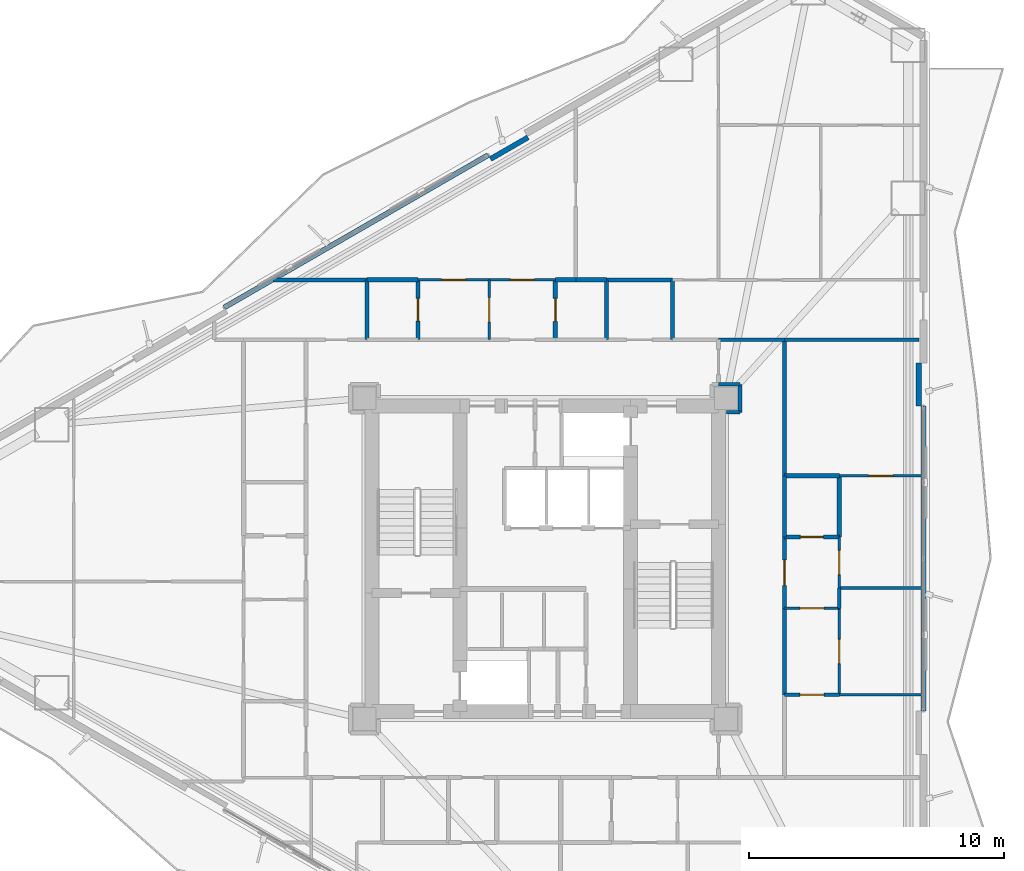
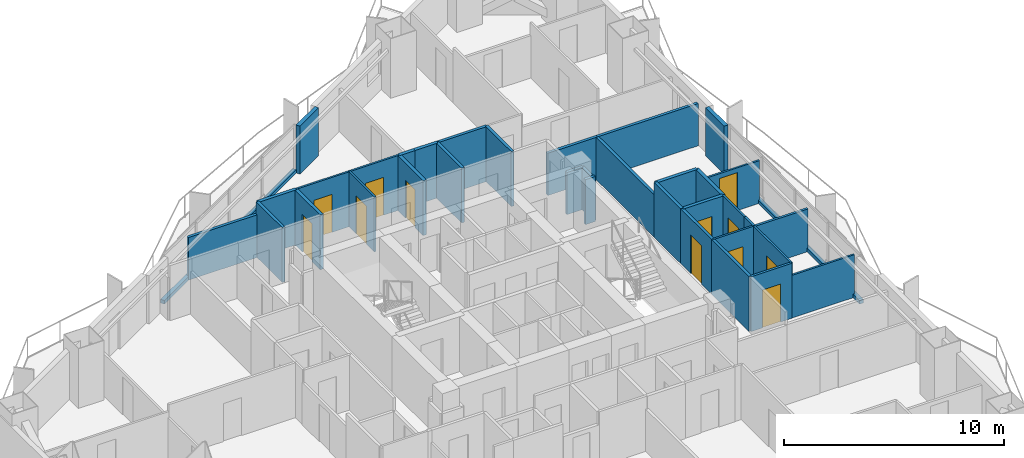
# One storey, part 16 of 19: 37 walls, 12 doors, 12 openings.
"""IFC4 building model written with IfcOpenShell, lengths in metres."""

import ifcopenshell
import ifcopenshell.guid

model = None  # the IFC model being written
_history = None  # IfcOwnerHistory: only IFC2X3 demands one
_inside = {}  # id of a spatial element -> (the spatial element, [elements in it])
_under = {}  # id of a project, library or spatial element -> (it, [spatial elements below it])
_declared = {}  # id of a project -> (the project, [libraries it declares])
_typed = {}  # id of a type object -> (the type object, [elements of that type])
_made_of = {}  # id of a material, layer set ... -> (it, [elements and type objects made of it])


def new_model(schema):
    """Start an empty IFC model of exactly this schema.

    Asked for "IFC4X3", IfcOpenShell would pick the latest addendum, in which some entities
    have other attributes; the version numbers below select the first issue.
    IFC2X3 requires an IfcOwnerHistory on every rooted entity: one is made here for all.
    """
    global model, _history
    if schema == "IFC4X3":
        model = ifcopenshell.file(schema_version=(4, 3, 0, 0))
    else:
        model = ifcopenshell.file(schema=schema)
    _inside.clear()
    _under.clear()
    _declared.clear()
    _typed.clear()
    _made_of.clear()
    _history = None
    if model.schema == "IFC2X3":
        org = make("IfcOrganization", Name="unknown")
        user = make(
            "IfcPersonAndOrganization",
            ThePerson=make("IfcPerson", FamilyName="unknown"),
            TheOrganization=org,
        )
        app = make(
            "IfcApplication",
            ApplicationDeveloper=org,
            Version="unknown",
            ApplicationFullName="unknown",
            ApplicationIdentifier="unknown",
        )
        _history = make(
            "IfcOwnerHistory",
            OwningUser=user,
            OwningApplication=app,
            ChangeAction="ADDED",
            CreationDate=0,
        )
    return model


def make(cls, **values):
    """One entity of the class cls with the attributes given. An attribute that is None is left unset."""
    return model.create_entity(
        cls, **{name: value for name, value in values.items() if value is not None}
    )


def rooted(cls, **values):
    """An entity with a GlobalId (a new one), such as an element, a storey or a relation."""
    return make(cls, GlobalId=ifcopenshell.guid.new(), OwnerHistory=_history, **values)


def si_unit(unit_type, name, prefix=None):
    """IfcSIUnit, for example si_unit("LENGTHUNIT", "METRE", prefix="MILLI")."""
    return make("IfcSIUnit", UnitType=unit_type, Prefix=prefix, Name=name)


def assignment(units):
    """IfcUnitAssignment: the units of a project."""
    return None if units is None else make("IfcUnitAssignment", Units=units)


def point(xyz):
    """IfcCartesianPoint."""
    return None if xyz is None else make("IfcCartesianPoint", Coordinates=xyz)


def direction(xyz):
    """IfcDirection."""
    return None if xyz is None else make("IfcDirection", DirectionRatios=xyz)


def frame(location, z_axis=None, x_axis=None):
    """IfcAxis2Placement3D, a coordinate frame: its origin and axes. An axis left out is left unset."""
    return make(
        "IfcAxis2Placement3D",
        Location=point(location),
        Axis=direction(z_axis),
        RefDirection=direction(x_axis),
    )


def frame_2d(location, x_axis=None):
    """IfcAxis2Placement2D, a coordinate frame in the plane: its origin and x axis."""
    return make(
        "IfcAxis2Placement2D", Location=point(location), RefDirection=direction(x_axis)
    )


def origin():
    """The frame at (0, 0, 0) with its axes left unset."""
    return frame((0.0, 0.0, 0.0))


def place(relative_to, where):
    """IfcLocalPlacement: puts the frame where relative to a parent placement (None: the world)."""
    return make(
        "IfcLocalPlacement", PlacementRelTo=relative_to, RelativePlacement=where
    )


def context(
    kind, dimensions, precision=None, world=None, true_north=None, identifier=None
):
    """IfcGeometricRepresentationContext, for example the 3D "Model" context."""
    return make(
        "IfcGeometricRepresentationContext",
        ContextIdentifier=identifier,
        ContextType=kind,
        CoordinateSpaceDimension=dimensions,
        Precision=precision,
        WorldCoordinateSystem=world,
        TrueNorth=true_north,
    )


def subcontext(parent, identifier, kind, view, scale=None):
    """IfcGeometricRepresentationSubContext, for example "Body" below "Model"."""
    return make(
        "IfcGeometricRepresentationSubContext",
        ContextIdentifier=identifier,
        ContextType=kind,
        ParentContext=parent,
        TargetScale=scale,
        TargetView=view,
    )


def project(units=None, contexts=None):
    """IfcProject with its units and contexts."""
    return rooted(
        "IfcProject",
        Name="project",
        RepresentationContexts=contexts,
        UnitsInContext=assignment(units),
    )


def spatial(cls, under=None, at=None, **own):
    """A site, building, storey or space (cls), placed at a placement, below another one or the project."""
    s = rooted(cls, ObjectPlacement=at, **own)
    if under is not None:
        _under.setdefault(under.id(), (under, []))[1].append(s)
    return s


def profile(cls, at=None, kind="AREA", **sizes):
    """A parametric profile (cls). Its sizes go by their IFC names, for example OverallWidth=200.0."""
    return make(cls, ProfileType=kind, Position=at, **sizes)


def rectangle(**sizes):
    """IfcRectangleProfileDef."""
    return profile("IfcRectangleProfileDef", **sizes)


def extrude(swept, where, along, depth):
    """IfcExtrudedAreaSolid: the profile swept, set in the frame where, extruded along a direction by depth."""
    return make(
        "IfcExtrudedAreaSolid",
        SweptArea=swept,
        Position=where,
        ExtrudedDirection=direction(along),
        Depth=depth,
    )


def shape(context_of_items, identifier, shape_type, items):
    """IfcShapeRepresentation: the items that make up one representation, for example the "Body"."""
    return make(
        "IfcShapeRepresentation",
        ContextOfItems=context_of_items,
        RepresentationIdentifier=identifier,
        RepresentationType=shape_type,
        Items=items,
    )


def material(Name=None, Category=None):
    """IfcMaterial."""
    return make("IfcMaterial", Name=Name, Category=Category)


def layer(
    of_material, thickness, ventilated=None, Name=None, Category=None, Priority=None
):
    """IfcMaterialLayer: one layer of a wall or slab, of a material (None: an air gap)."""
    return make(
        "IfcMaterialLayer",
        Material=of_material,
        LayerThickness=thickness,
        IsVentilated=ventilated,
        Name=Name,
        Category=Category,
        Priority=Priority,
    )


def layer_set(layers, Name=None):
    """IfcMaterialLayerSet."""
    return make("IfcMaterialLayerSet", MaterialLayers=layers, LayerSetName=Name)


def made_of(thing, what):
    """Note that an element or type object is made of a material, layer set ...; save() writes the relation."""
    if what is not None:
        _made_of.setdefault(what.id(), (what, []))[1].append(thing)
    return thing


def type_object(cls, material=None, **own):
    """A type object (cls), such as IfcWallType, which elements share."""
    return made_of(rooted(cls, **own), material)


def element(
    cls,
    number,
    at=None,
    inside=None,
    cuts=None,
    type_object=None,
    material=None,
    context=None,
    identifier="Body",
    shape_type=None,
    held_by="IfcProductDefinitionShape",
    body=None,
    shapes=None,
    **own,
):
    """One element of the class cls, such as IfcWall. Its Tag is "e" and its number.

    at: its placement. inside: the storey or other place that contains it. cuts: it is an
    opening in that element (IfcRelVoidsElement). A single representation is given by context,
    identifier, shape_type and body (its items); several are given by shapes. held_by: the class
    of the entity that holds the representations. save() writes the other relations.
    """
    e = rooted(cls, Tag="e%d" % number, ObjectPlacement=at, **own)
    if body is not None:
        shapes = [shape(context, identifier, shape_type, body)]
    if shapes is not None:
        e.Representation = make(held_by, Representations=shapes)
    if inside is not None:
        _inside.setdefault(inside.id(), (inside, []))[1].append(e)
    if cuts is not None:
        rooted(
            "IfcRelVoidsElement", RelatingBuildingElement=cuts, RelatedOpeningElement=e
        )
    if type_object is not None:
        _typed.setdefault(type_object.id(), (type_object, []))[1].append(e)
    return made_of(e, material)


def fill(opening, filler):
    """IfcRelFillsElement: the door or window that sits in an opening."""
    return rooted(
        "IfcRelFillsElement",
        RelatingOpeningElement=opening,
        RelatedBuildingElement=filler,
    )


def aggregate(whole, parts):
    """IfcRelAggregates: a whole, such as a stair, and the parts it consists of."""
    return rooted("IfcRelAggregates", RelatingObject=whole, RelatedObjects=parts)


def save(model, path):
    """Write the relations noted so far, then the file.

    IfcRelAggregates (storeys below a building ...), IfcRelContainedInSpatialStructure (elements
    in a storey), IfcRelDefinesByType, IfcRelAssociatesMaterial and IfcRelDeclares: one each for
    every whole, place, type object, material and project.
    """
    for whole, parts in _under.values():
        aggregate(whole, parts)
    for where, things in _inside.values():
        rooted(
            "IfcRelContainedInSpatialStructure",
            RelatedElements=things,
            RelatingStructure=where,
        )
    for kind, things in _typed.values():
        rooted("IfcRelDefinesByType", RelatedObjects=things, RelatingType=kind)
    for what, things in _made_of.values():
        rooted("IfcRelAssociatesMaterial", RelatedObjects=things, RelatingMaterial=what)
    for by, libraries in _declared.values():
        rooted("IfcRelDeclares", RelatingContext=by, RelatedDefinitions=libraries)
    model.write(path)


model = new_model("IFC4")

# Units and contexts
model_context = context("Model", 3, precision=1e-05, world=origin(), true_north=direction((0.0, 1.0)))
body_context = subcontext(model_context, "Body", "Model", "MODEL_VIEW")
ifc_project = project(units=[si_unit("LENGTHUNIT", "METRE"), si_unit("AREAUNIT", "SQUARE_METRE"), si_unit("VOLUMEUNIT", "CUBIC_METRE"), si_unit("PLANEANGLEUNIT", "RADIAN"), si_unit("MASSUNIT", "GRAM", prefix="KILO")], contexts=[model_context])

# Site, building, storey
site_placement = place(None, origin())
site = spatial("IfcSite", under=ifc_project, at=site_placement, CompositionType="ELEMENT")
building_placement = place(site_placement, origin())
building = spatial("IfcBuilding", under=site, at=building_placement, Name="Mersakhor Tower and Convention Hall", CompositionType="ELEMENT")
storey_placement = place(building_placement, frame((0.0, 0.0, 29.10009765625)))
storey = spatial("IfcBuildingStorey", under=building, at=storey_placement, Name="L07", CompositionType="ELEMENT", Elevation=29.10009765625)

# Walls
ifc_material_1 = material(Name="Precast concrete C40/50", Category="concrete")
ifc_layer_1 = layer(ifc_material_1, 0.199951171875)
ifc_layer_set_1 = layer_set([ifc_layer_1], Name="Precast concrete C40/50")
wall_type_1 = type_object("IfcWallType", Name="WL-PAR-200", PredefinedType="PARAPET", material=ifc_layer_set_1)
wall_1_placement = place(storey_placement, frame((16.390380859375, 36.6171875, 0.0), z_axis=(0.0, 0.0, 1.0), x_axis=(0.866027351828, 0.499996625875, 0.0)))
element("IfcWall", 1, at=wall_1_placement, inside=storey, type_object=wall_type_1, Name="L07 Curtain Wall Upstand Sill F1-B2", PredefinedType="PARAPET", context=body_context, shape_type="SweptSolid", body=[
    extrude(rectangle(XDim=11.97314453125, YDim=0.199951171875, at=frame_2d((5.986572265625, 0.0))), origin(), (0.0, 0.0, 1.0), 0.199951171875),
])
wall_2_placement = place(storey_placement, frame((26.849609375, 42.447998046875, 0.0), z_axis=(0.0, 0.0, 1.0), x_axis=(0.86605165483, 0.499954529098, 0.0)))
element("IfcWall", 2, at=wall_2_placement, inside=storey, type_object=wall_type_1, Name="L07 Column Pier Cladding Wall F1-C2", PredefinedType="PARAPET", context=body_context, shape_type="SweptSolid", body=[
    extrude(rectangle(XDim=1.699951171875, YDim=0.199951171875, at=frame_2d((0.85009765625, 0.0))), origin(), (0.0, 0.0, 1.0), 2.659912109375),
])
wall_3_placement = place(storey_placement, frame((43.85009765625, 32.736572265625, 0.0), z_axis=(0.0, 0.0, 1.0), x_axis=(0.0, -1.0, 0.0)))
element("IfcWall", 3, at=wall_3_placement, inside=storey, type_object=wall_type_1, Name="L07 Curtain Wall Upstand Sill F2-B2", PredefinedType="PARAPET", context=body_context, shape_type="SweptSolid", body=[
    extrude(rectangle(XDim=11.97314453125, YDim=0.199951171875, at=frame_2d((5.986572265625, 0.0))), origin(), (0.0, 0.0, 1.0), 0.199951171875),
])
wall_4_placement = place(storey_placement, frame((43.669921875, 34.4365234375, 0.0), z_axis=(0.0, 0.0, 1.0), x_axis=(0.0, -1.0, 0.0)))
element("IfcWall", 4, at=wall_4_placement, inside=storey, type_object=wall_type_1, Name="L07 Column Pier Cladding Wall F2-C1", PredefinedType="PARAPET", context=body_context, shape_type="SweptSolid", body=[
    extrude(rectangle(XDim=1.699951171875, YDim=0.199951171875, at=frame_2d((0.85009765625, 0.0))), origin(), (0.0, 0.0, 1.0), 2.659912109375),
])

# Wall, opening, door
ifc_material_2 = material(Name="Moisture-resistant acoustic drywall studwork", Category="other")
ifc_layer_2 = layer(ifc_material_2, 0.175048828125)
ifc_layer_set_2 = layer_set([ifc_layer_2], Name="Moisture-resistant acoustic drywall studwork")
wall_type_2 = type_object("IfcWallType", Name="WL-PLM-175", PredefinedType="PLUMBINGWALL", material=ifc_layer_set_2)
wall_5_placement = place(storey_placement, frame((29.39990234375, 37.699951171875, 0.0), z_axis=(0.0, 0.0, 1.0), x_axis=(0.0, -1.0, 0.0)))
wall_5 = element("IfcWall", 5, at=wall_5_placement, inside=storey, type_object=wall_type_2, Name="L07 Interior Partition Wall P-069", PredefinedType="PLUMBINGWALL", context=body_context, shape_type="SweptSolid", body=[
    extrude(rectangle(XDim=2.349853515625, YDim=0.175048828125, at=frame_2d((1.1748046875, 0.0))), origin(), (0.0, 0.0, 1.0), 3.039794921875),
])
opening_1_placement = place(wall_5_placement, frame((0.72509765625, 0.0, 0.0)))
opening_1 = element("IfcOpeningElement", 6, at=opening_1_placement, cuts=wall_5, Name="Opening WD-01", PredefinedType="OPENING", context=body_context, shape_type="SweptSolid", body=[
    extrude(rectangle(XDim=0.89990234375, YDim=2.10009765625, at=frame_2d((0.449951171875, 1.050048828125))), frame((0.0, 0.097412109375, 0.0), z_axis=(0.0, -1.0, 0.0), x_axis=(1.0, 0.0, 0.0)), (0.0, 0.0, 1.0), 0.195068359375),
])
ifc_material_3 = material(Name="Solid-core hardwood leaf in painted steel frame", Category="steel")
door_type_1 = type_object("IfcDoorType", Name="DR-INT-WET-090x210", OperationType="NOTDEFINED", PredefinedType="DOOR", material=ifc_material_3)
door_1_placement = place(opening_1_placement, origin())
door_1 = element("IfcDoor", 7, at=door_1_placement, inside=storey, type_object=door_type_1, Name="L07 L07 Flat N1 Apartment Hall to L07 Flat N1 En-Suite Shower Room Door", OperationType="SINGLE_SWING_LEFT", OverallHeight=2.10009765625, OverallWidth=0.89990234375, PredefinedType="DOOR", context=body_context, shape_type="SweptSolid", body=[
    extrude(rectangle(XDim=0.89990234375, YDim=2.10009765625, at=frame_2d((0.449951171875, 1.050048828125))), frame((0.0, 0.02490234375, 0.0), z_axis=(0.0, -1.0, 0.0), x_axis=(1.0, 0.0, 0.0)), (0.0, 0.0, 1.0), 0.050048828125),
])
fill(opening_1, door_1)

wall_6_placement = place(storey_placement, frame((38.39990234375, 27.60009765625, 0.0), z_axis=(0.0, 0.0, 1.0), x_axis=(1.0, 0.0, 0.0)))
wall_6 = element("IfcWall", 8, at=wall_6_placement, inside=storey, type_object=wall_type_2, Name="L07 Interior Partition Wall P-081", PredefinedType="PLUMBINGWALL", context=body_context, shape_type="SweptSolid", body=[
    extrude(rectangle(XDim=2.150146484375, YDim=0.175048828125, at=frame_2d((1.0751953125, 0.0))), origin(), (0.0, 0.0, 1.0), 3.039794921875),
])
opening_2_placement = place(wall_6_placement, frame((0.625, 0.0, 0.0)))
opening_2 = element("IfcOpeningElement", 9, at=opening_2_placement, cuts=wall_6, Name="Opening WD-01", PredefinedType="OPENING", context=body_context, shape_type="SweptSolid", body=[
    extrude(rectangle(XDim=0.89990234375, YDim=2.10009765625, at=frame_2d((0.449951171875, 1.050048828125))), frame((0.0, 0.097412109375, 0.0), z_axis=(0.0, -1.0, 0.0), x_axis=(1.0, 0.0, 0.0)), (0.0, 0.0, 1.0), 0.195068359375),
])
door_2_placement = place(opening_2_placement, origin())
door_2 = element("IfcDoor", 10, at=door_2_placement, inside=storey, type_object=door_type_1, Name="L07 L07 Flat E5 Apartment Hall to L07 Flat E5 Bathroom Door", OperationType="SINGLE_SWING_LEFT", OverallHeight=2.10009765625, OverallWidth=0.89990234375, PredefinedType="DOOR", context=body_context, shape_type="SweptSolid", body=[
    extrude(rectangle(XDim=0.89990234375, YDim=2.10009765625, at=frame_2d((0.449951171875, 1.050048828125))), frame((0.0, 0.02490234375, 0.0), z_axis=(0.0, -1.0, 0.0), x_axis=(1.0, 0.0, 0.0)), (0.0, 0.0, 1.0), 0.050048828125),
])
fill(opening_2, door_2)

wall_7_placement = place(storey_placement, frame((24.0, 35.35009765625, 0.0), z_axis=(0.0, 0.0, 1.0), x_axis=(0.0, 1.0, 0.0)))
wall_7 = element("IfcWall", 11, at=wall_7_placement, inside=storey, type_object=wall_type_2, Name="L07 Interior Partition Wall P-083", PredefinedType="PLUMBINGWALL", context=body_context, shape_type="SweptSolid", body=[
    extrude(rectangle(XDim=2.349853515625, YDim=0.175048828125, at=frame_2d((1.1748046875, 0.0))), origin(), (0.0, 0.0, 1.0), 3.039794921875),
])
opening_3_placement = place(wall_7_placement, frame((0.72509765625, 0.0, 0.0)))
opening_3 = element("IfcOpeningElement", 12, at=opening_3_placement, cuts=wall_7, Name="Opening WD-01", PredefinedType="OPENING", context=body_context, shape_type="SweptSolid", body=[
    extrude(rectangle(XDim=0.89990234375, YDim=2.10009765625, at=frame_2d((0.449951171875, 1.050048828125))), frame((0.0, 0.097412109375, 0.0), z_axis=(0.0, -1.0, 0.0), x_axis=(1.0, 0.0, 0.0)), (0.0, 0.0, 1.0), 0.195068359375),
])
door_3_placement = place(opening_3_placement, origin())
door_3 = element("IfcDoor", 13, at=door_3_placement, inside=storey, type_object=door_type_1, Name="L07 L07 Flat N1 Kitchen to L07 Flat N1 Bathroom Door", OperationType="SINGLE_SWING_LEFT", OverallHeight=2.10009765625, OverallWidth=0.89990234375, PredefinedType="DOOR", context=body_context, shape_type="SweptSolid", body=[
    extrude(rectangle(XDim=0.89990234375, YDim=2.10009765625, at=frame_2d((0.449951171875, 1.050048828125))), frame((0.0, 0.02490234375, 0.0), z_axis=(0.0, -1.0, 0.0), x_axis=(1.0, 0.0, 0.0)), (0.0, 0.0, 1.0), 0.050048828125),
])
fill(opening_3, door_3)

# Walls
wall_8_placement = place(storey_placement, frame((22.0, 37.699951171875, 0.0), z_axis=(0.0, 0.0, 1.0), x_axis=(1.0, 0.0, 0.0)))
element("IfcWall", 14, at=wall_8_placement, inside=storey, type_object=wall_type_2, Name="L07 Interior Partition Wall P-084", PredefinedType="PLUMBINGWALL", context=body_context, shape_type="SweptSolid", body=[
    extrude(rectangle(XDim=2.0, YDim=0.175048828125, at=frame_2d((1.0, 0.0))), origin(), (0.0, 0.0, 1.0), 3.039794921875),
])
wall_9_placement = place(storey_placement, frame((29.39990234375, 37.699951171875, 0.0), z_axis=(0.0, 0.0, 1.0), x_axis=(1.0, 0.0, 0.0)))
element("IfcWall", 15, at=wall_9_placement, inside=storey, type_object=wall_type_2, Name="L07 Interior Partition Wall P-086", PredefinedType="PLUMBINGWALL", context=body_context, shape_type="SweptSolid", body=[
    extrude(rectangle(XDim=0.800048828125, YDim=0.175048828125, at=frame_2d((0.39990234375, 0.0))), origin(), (0.0, 0.0, 1.0), 3.039794921875),
])
wall_10_placement = place(storey_placement, frame((30.199951171875, 37.699951171875, 0.0), z_axis=(0.0, 0.0, 1.0), x_axis=(1.0, 0.0, 0.0)))
element("IfcWall", 16, at=wall_10_placement, inside=storey, type_object=wall_type_2, Name="L07 Interior Partition Wall P-087", PredefinedType="PLUMBINGWALL", context=body_context, shape_type="SweptSolid", body=[
    extrude(rectangle(XDim=1.199951171875, YDim=0.175048828125, at=frame_2d((0.60009765625, 0.0))), origin(), (0.0, 0.0, 1.0), 3.039794921875),
])
wall_11_placement = place(storey_placement, frame((40.550048828125, 30.0, 0.0), z_axis=(0.0, 0.0, 1.0), x_axis=(0.0, -1.0, 0.0)))
element("IfcWall", 17, at=wall_11_placement, inside=storey, type_object=wall_type_2, Name="L07 Interior Partition Wall P-101", PredefinedType="PLUMBINGWALL", context=body_context, shape_type="SweptSolid", body=[
    extrude(rectangle(XDim=2.39990234375, YDim=0.175048828125, at=frame_2d((1.199951171875, 0.0))), origin(), (0.0, 0.0, 1.0), 3.039794921875),
])
wall_12_placement = place(storey_placement, frame((38.39990234375, 30.0, 0.0), z_axis=(0.0, 0.0, 1.0), x_axis=(1.0, 0.0, 0.0)))
element("IfcWall", 18, at=wall_12_placement, inside=storey, type_object=wall_type_2, Name="L07 Interior Partition Wall P-102", PredefinedType="PLUMBINGWALL", context=body_context, shape_type="SweptSolid", body=[
    extrude(rectangle(XDim=2.150146484375, YDim=0.175048828125, at=frame_2d((1.0751953125, 0.0))), origin(), (0.0, 0.0, 1.0), 3.039794921875),
])

# Wall, opening, door
ifc_material_4 = material(Name="Lightweight gypsum partition", Category="other")
ifc_layer_3 = layer(ifc_material_4, 0.10009765625)
ifc_layer_set_3 = layer_set([ifc_layer_3], Name="Lightweight gypsum partition")
wall_type_3 = type_object("IfcWallType", Name="WL-PRT-100", PredefinedType="PARTITIONING", material=ifc_layer_set_3)
wall_13_placement = place(storey_placement, frame((26.800048828125, 37.699951171875, 0.0), z_axis=(0.0, 0.0, 1.0), x_axis=(1.0, 0.0, 0.0)))
wall_13 = element("IfcWall", 19, at=wall_13_placement, inside=storey, type_object=wall_type_3, Name="L07 Interior Partition Wall P-068", PredefinedType="PARTITIONING", context=body_context, shape_type="SweptSolid", body=[
    extrude(rectangle(XDim=2.599853515625, YDim=0.10009765625, at=frame_2d((1.2998046875, 0.0))), origin(), (0.0, 0.0, 1.0), 3.039794921875),
])
opening_4_placement = place(wall_13_placement, frame((0.824951171875, 0.0, 0.0)))
opening_4 = element("IfcOpeningElement", 20, at=opening_4_placement, cuts=wall_13, Name="Opening RD-01", PredefinedType="OPENING", context=body_context, shape_type="SweptSolid", body=[
    extrude(rectangle(XDim=0.949951171875, YDim=2.10009765625, at=frame_2d((0.47509765625, 1.050048828125))), frame((0.0, 0.06005859375, 0.0), z_axis=(0.0, -1.0, 0.0), x_axis=(1.0, 0.0, 0.0)), (0.0, 0.0, 1.0), 0.1201171875),
])
ifc_material_5 = material(Name="Solid-core hardwood leaf in painted steel frame", Category="steel")
door_type_2 = type_object("IfcDoorType", Name="DR-INT-RM-095x210", OperationType="NOTDEFINED", PredefinedType="DOOR", material=ifc_material_5)
door_4_placement = place(opening_4_placement, origin())
door_4 = element("IfcDoor", 21, at=door_4_placement, inside=storey, type_object=door_type_2, Name="L07 L07 Flat N1 Apartment Hall to L07 Flat N1 Living and Dining Room Door", OperationType="SINGLE_SWING_RIGHT", OverallHeight=2.10009765625, OverallWidth=0.949951171875, PredefinedType="DOOR", context=body_context, shape_type="SweptSolid", body=[
    extrude(rectangle(XDim=0.949951171875, YDim=2.10009765625, at=frame_2d((0.47509765625, 1.050048828125))), frame((0.0, 0.02490234375, 0.0), z_axis=(0.0, -1.0, 0.0), x_axis=(1.0, 0.0, 0.0)), (0.0, 0.0, 1.0), 0.050048828125),
])
fill(opening_4, door_4)

wall_14_placement = place(storey_placement, frame((26.800048828125, 35.35009765625, 0.0), z_axis=(0.0, 0.0, 1.0), x_axis=(0.0, 1.0, 0.0)))
wall_14 = element("IfcWall", 22, at=wall_14_placement, inside=storey, type_object=wall_type_3, Name="L07 Interior Partition Wall P-070", PredefinedType="PARTITIONING", context=body_context, shape_type="SweptSolid", body=[
    extrude(rectangle(XDim=2.349853515625, YDim=0.10009765625, at=frame_2d((1.1748046875, 0.0))), origin(), (0.0, 0.0, 1.0), 3.039794921875),
])
opening_5_placement = place(wall_14_placement, frame((0.699951171875, 0.0, 0.0)))
opening_5 = element("IfcOpeningElement", 23, at=opening_5_placement, cuts=wall_14, Name="Opening RD-01", PredefinedType="OPENING", context=body_context, shape_type="SweptSolid", body=[
    extrude(rectangle(XDim=0.949951171875, YDim=2.10009765625, at=frame_2d((0.47509765625, 1.050048828125))), frame((0.0, 0.06005859375, 0.0), z_axis=(0.0, -1.0, 0.0), x_axis=(1.0, 0.0, 0.0)), (0.0, 0.0, 1.0), 0.1201171875),
])
door_5_placement = place(opening_5_placement, origin())
door_5 = element("IfcDoor", 24, at=door_5_placement, inside=storey, type_object=door_type_2, Name="L07 L07 Flat N1 Apartment Hall to L07 Flat N1 Kitchen Door", OperationType="SINGLE_SWING_RIGHT", OverallHeight=2.10009765625, OverallWidth=0.949951171875, PredefinedType="DOOR", context=body_context, shape_type="SweptSolid", body=[
    extrude(rectangle(XDim=0.949951171875, YDim=2.10009765625, at=frame_2d((0.47509765625, 1.050048828125))), frame((0.0, 0.02490234375, 0.0), z_axis=(0.0, -1.0, 0.0), x_axis=(1.0, 0.0, 0.0)), (0.0, 0.0, 1.0), 0.050048828125),
])
fill(opening_5, door_5)

wall_15_placement = place(storey_placement, frame((40.550048828125, 27.60009765625, 0.0), z_axis=(0.0, 0.0, 1.0), x_axis=(0.0, -1.0, 0.0)))
wall_15 = element("IfcWall", 25, at=wall_15_placement, inside=storey, type_object=wall_type_3, Name="L07 Interior Partition Wall P-078", PredefinedType="PARTITIONING", context=body_context, shape_type="SweptSolid", body=[
    extrude(rectangle(XDim=2.0, YDim=0.10009765625, at=frame_2d((1.0, 0.0))), origin(), (0.0, 0.0, 1.0), 3.039794921875),
])
opening_6_placement = place(wall_15_placement, frame((0.52490234375, 0.0, 0.0)))
opening_6 = element("IfcOpeningElement", 26, at=opening_6_placement, cuts=wall_15, Name="Opening RD-01", PredefinedType="OPENING", context=body_context, shape_type="SweptSolid", body=[
    extrude(rectangle(XDim=0.949951171875, YDim=2.10009765625, at=frame_2d((0.47509765625, 1.050048828125))), frame((0.0, 0.06005859375, 0.0), z_axis=(0.0, -1.0, 0.0), x_axis=(1.0, 0.0, 0.0)), (0.0, 0.0, 1.0), 0.1201171875),
])
door_6_placement = place(opening_6_placement, origin())
door_6 = element("IfcDoor", 27, at=door_6_placement, inside=storey, type_object=door_type_2, Name="L07 L07 Flat E5 Apartment Hall to L07 Flat E5 Master Bedroom Door", OperationType="SINGLE_SWING_RIGHT", OverallHeight=2.10009765625, OverallWidth=0.949951171875, PredefinedType="DOOR", context=body_context, shape_type="SweptSolid", body=[
    extrude(rectangle(XDim=0.949951171875, YDim=2.10009765625, at=frame_2d((0.47509765625, 1.050048828125))), frame((0.0, 0.02490234375, 0.0), z_axis=(0.0, -1.0, 0.0), x_axis=(1.0, 0.0, 0.0)), (0.0, 0.0, 1.0), 0.050048828125),
])
fill(opening_6, door_6)

wall_16_placement = place(storey_placement, frame((40.550048828125, 24.800048828125, 0.0), z_axis=(0.0, 0.0, 1.0), x_axis=(-1.0, 0.0, 0.0)))
wall_16 = element("IfcWall", 28, at=wall_16_placement, inside=storey, type_object=wall_type_3, Name="L07 Interior Partition Wall P-080", PredefinedType="PARTITIONING", context=body_context, shape_type="SweptSolid", body=[
    extrude(rectangle(XDim=2.150146484375, YDim=0.10009765625, at=frame_2d((1.0751953125, 0.0))), origin(), (0.0, 0.0, 1.0), 3.039794921875),
])
opening_7_placement = place(wall_16_placement, frame((0.60009765625, 0.0, 0.0)))
opening_7 = element("IfcOpeningElement", 29, at=opening_7_placement, cuts=wall_16, Name="Opening RD-01", PredefinedType="OPENING", context=body_context, shape_type="SweptSolid", body=[
    extrude(rectangle(XDim=0.949951171875, YDim=2.10009765625, at=frame_2d((0.47509765625, 1.050048828125))), frame((0.0, 0.06005859375, 0.0), z_axis=(0.0, -1.0, 0.0), x_axis=(1.0, 0.0, 0.0)), (0.0, 0.0, 1.0), 0.1201171875),
])
door_7_placement = place(opening_7_placement, origin())
door_7 = element("IfcDoor", 30, at=door_7_placement, inside=storey, type_object=door_type_2, Name="L07 L07 Flat E5 Apartment Hall to L07 Flat E5 Dining Alcove Door", OperationType="SINGLE_SWING_LEFT", OverallHeight=2.10009765625, OverallWidth=0.949951171875, PredefinedType="DOOR", context=body_context, shape_type="SweptSolid", body=[
    extrude(rectangle(XDim=0.949951171875, YDim=2.10009765625, at=frame_2d((0.47509765625, 1.050048828125))), frame((0.0, 0.02490234375, 0.0), z_axis=(0.0, -1.0, 0.0), x_axis=(1.0, 0.0, 0.0)), (0.0, 0.0, 1.0), 0.050048828125),
])
fill(opening_7, door_7)

wall_17_placement = place(storey_placement, frame((24.0, 37.699951171875, 0.0), z_axis=(0.0, 0.0, 1.0), x_axis=(1.0, 0.0, 0.0)))
wall_17 = element("IfcWall", 31, at=wall_17_placement, inside=storey, type_object=wall_type_3, Name="L07 Interior Partition Wall P-082", PredefinedType="PARTITIONING", context=body_context, shape_type="SweptSolid", body=[
    extrude(rectangle(XDim=2.800048828125, YDim=0.10009765625, at=frame_2d((1.39990234375, 0.0))), origin(), (0.0, 0.0, 1.0), 3.039794921875),
])
opening_8_placement = place(wall_17_placement, frame((0.925048828125, 0.0, 0.0)))
opening_8 = element("IfcOpeningElement", 32, at=opening_8_placement, cuts=wall_17, Name="Opening RD-01", PredefinedType="OPENING", context=body_context, shape_type="SweptSolid", body=[
    extrude(rectangle(XDim=0.949951171875, YDim=2.10009765625, at=frame_2d((0.47509765625, 1.050048828125))), frame((0.0, 0.06005859375, 0.0), z_axis=(0.0, -1.0, 0.0), x_axis=(1.0, 0.0, 0.0)), (0.0, 0.0, 1.0), 0.1201171875),
])
door_8_placement = place(opening_8_placement, origin())
door_8 = element("IfcDoor", 33, at=door_8_placement, inside=storey, type_object=door_type_2, Name="L07 L07 Flat N1 Kitchen to L07 Flat N1 Living and Dining Room Door", OperationType="SINGLE_SWING_RIGHT", OverallHeight=2.10009765625, OverallWidth=0.949951171875, PredefinedType="DOOR", context=body_context, shape_type="SweptSolid", body=[
    extrude(rectangle(XDim=0.949951171875, YDim=2.10009765625, at=frame_2d((0.47509765625, 1.050048828125))), frame((0.0, 0.02490234375, 0.0), z_axis=(0.0, -1.0, 0.0), x_axis=(1.0, 0.0, 0.0)), (0.0, 0.0, 1.0), 0.050048828125),
])
fill(opening_8, door_8)

# Wall
wall_18_placement = place(storey_placement, frame((40.550048828125, 21.39990234375, 0.0), z_axis=(0.0, 0.0, 1.0), x_axis=(1.0, 0.0, 0.0)))
element("IfcWall", 34, at=wall_18_placement, inside=storey, type_object=wall_type_3, Name="L07 Interior Partition Wall P-104", PredefinedType="PARTITIONING", context=body_context, shape_type="SweptSolid", body=[
    extrude(rectangle(XDim=3.263916015625, YDim=0.10009765625, at=frame_2d((1.6318359375, 0.0))), origin(), (0.0, 0.0, 1.0), 2.364990234375),
])

# Wall, opening, door
wall_19_placement = place(storey_placement, frame((43.81396484375, 30.0, 0.0), z_axis=(0.0, 0.0, 1.0), x_axis=(-1.0, 0.0, 0.0)))
wall_19 = element("IfcWall", 35, at=wall_19_placement, inside=storey, type_object=wall_type_3, Name="L07 Interior Partition Wall P-146", PredefinedType="PARTITIONING", context=body_context, shape_type="SweptSolid", body=[
    extrude(rectangle(XDim=3.263916015625, YDim=0.10009765625, at=frame_2d((1.6318359375, 0.0))), origin(), (0.0, 0.0, 1.0), 2.364990234375),
])
opening_9_placement = place(wall_19_placement, frame((1.156982421875, 0.0, 0.0)))
opening_9 = element("IfcOpeningElement", 36, at=opening_9_placement, cuts=wall_19, Name="Opening RD-01", PredefinedType="OPENING", context=body_context, shape_type="SweptSolid", body=[
    extrude(rectangle(XDim=0.949951171875, YDim=2.10009765625, at=frame_2d((0.47509765625, 1.050048828125))), frame((0.0, 0.06005859375, 0.0), z_axis=(0.0, -1.0, 0.0), x_axis=(1.0, 0.0, 0.0)), (0.0, 0.0, 1.0), 0.1201171875),
])
door_9_placement = place(opening_9_placement, origin())
door_9 = element("IfcDoor", 37, at=door_9_placement, inside=storey, type_object=door_type_2, Name="L07 L07 Flat E5 Living and Dining Room to L07 Flat E5 Master Bedroom Door", OperationType="SINGLE_SWING_RIGHT", OverallHeight=2.10009765625, OverallWidth=0.949951171875, PredefinedType="DOOR", context=body_context, shape_type="SweptSolid", body=[
    extrude(rectangle(XDim=0.949951171875, YDim=2.10009765625, at=frame_2d((0.47509765625, 1.050048828125))), frame((0.0, 0.02490234375, 0.0), z_axis=(0.0, -1.0, 0.0), x_axis=(1.0, 0.0, 0.0)), (0.0, 0.0, 1.0), 0.050048828125),
])
fill(opening_9, door_9)

wall_20_placement = place(storey_placement, frame((40.550048828125, 21.39990234375, 0.0), z_axis=(0.0, 0.0, 1.0), x_axis=(0.0, 1.0, 0.0)))
wall_20 = element("IfcWall", 38, at=wall_20_placement, inside=storey, type_object=wall_type_3, Name="L07 Interior Partition Wall P-148", PredefinedType="PARTITIONING", context=body_context, shape_type="SweptSolid", body=[
    extrude(rectangle(XDim=3.400146484375, YDim=0.10009765625, at=frame_2d((1.7001953125, 0.0))), origin(), (0.0, 0.0, 1.0), 3.039794921875),
])
opening_10_placement = place(wall_20_placement, frame((1.22509765625, 0.0, 0.0)))
opening_10 = element("IfcOpeningElement", 39, at=opening_10_placement, cuts=wall_20, Name="Opening RD-01", PredefinedType="OPENING", context=body_context, shape_type="SweptSolid", body=[
    extrude(rectangle(XDim=0.949951171875, YDim=2.10009765625, at=frame_2d((0.47509765625, 1.050048828125))), frame((0.0, 0.06005859375, 0.0), z_axis=(0.0, -1.0, 0.0), x_axis=(1.0, 0.0, 0.0)), (0.0, 0.0, 1.0), 0.1201171875),
])
door_10_placement = place(opening_10_placement, origin())
door_10 = element("IfcDoor", 40, at=door_10_placement, inside=storey, type_object=door_type_2, Name="L07 L07 Flat E5 Bedroom 2 to L07 Flat E5 Dining Alcove Door", OperationType="SINGLE_SWING_LEFT", OverallHeight=2.10009765625, OverallWidth=0.949951171875, PredefinedType="DOOR", context=body_context, shape_type="SweptSolid", body=[
    extrude(rectangle(XDim=0.949951171875, YDim=2.10009765625, at=frame_2d((0.47509765625, 1.050048828125))), frame((0.0, 0.02490234375, 0.0), z_axis=(0.0, -1.0, 0.0), x_axis=(1.0, 0.0, 0.0)), (0.0, 0.0, 1.0), 0.050048828125),
])
fill(opening_10, door_10)

# Wall
ifc_material_6 = material(Name="Gypsum board acoustic partition", Category="other")
ifc_layer_4 = layer(ifc_material_6, 0.125)
ifc_layer_set_4 = layer_set([ifc_layer_4], Name="Gypsum board acoustic partition")
wall_type_4 = type_object("IfcWallType", Name="WL-PRT-125", PredefinedType="PARTITIONING", material=ifc_layer_set_4)
wall_21_placement = place(storey_placement, frame((40.550048828125, 25.60009765625, 0.0), z_axis=(0.0, 0.0, 1.0), x_axis=(0.0, -1.0, 0.0)))
element("IfcWall", 41, at=wall_21_placement, inside=storey, type_object=wall_type_4, Name="L07 Interior Partition Wall P-079", PredefinedType="PARTITIONING", context=body_context, shape_type="SweptSolid", body=[
    extrude(rectangle(XDim=0.800048828125, YDim=0.125, at=frame_2d((0.39990234375, 0.0))), origin(), (0.0, 0.0, 1.0), 3.039794921875),
])

# Wall, opening, door
wall_22_placement = place(storey_placement, frame((38.39990234375, 21.39990234375, 0.0), z_axis=(0.0, 0.0, 1.0), x_axis=(1.0, 0.0, 0.0)))
wall_22 = element("IfcWall", 42, at=wall_22_placement, inside=storey, type_object=wall_type_4, Name="L07 Interior Partition Wall P-103", PredefinedType="PARTITIONING", context=body_context, shape_type="SweptSolid", body=[
    extrude(rectangle(XDim=2.150146484375, YDim=0.125, at=frame_2d((1.0751953125, 0.0))), origin(), (0.0, 0.0, 1.0), 3.039794921875),
])
opening_11_placement = place(wall_22_placement, frame((0.60009765625, 0.0, 0.0)))
opening_11 = element("IfcOpeningElement", 43, at=opening_11_placement, cuts=wall_22, Name="Opening RD-01", PredefinedType="OPENING", context=body_context, shape_type="SweptSolid", body=[
    extrude(rectangle(XDim=0.949951171875, YDim=2.10009765625, at=frame_2d((0.47509765625, 1.050048828125))), frame((0.0, 0.072509765625, 0.0), z_axis=(0.0, -1.0, 0.0), x_axis=(1.0, 0.0, 0.0)), (0.0, 0.0, 1.0), 0.14501953125),
])
door_11_placement = place(opening_11_placement, origin())
door_11 = element("IfcDoor", 44, at=door_11_placement, inside=storey, type_object=door_type_2, Name="L07 L07 Flat E5 Kitchen to L07 Flat E5 Dining Alcove Door", OperationType="SINGLE_SWING_LEFT", OverallHeight=2.10009765625, OverallWidth=0.949951171875, PredefinedType="DOOR", context=body_context, shape_type="SweptSolid", body=[
    extrude(rectangle(XDim=0.949951171875, YDim=2.10009765625, at=frame_2d((0.47509765625, 1.050048828125))), frame((0.0, 0.02490234375, 0.0), z_axis=(0.0, -1.0, 0.0), x_axis=(1.0, 0.0, 0.0)), (0.0, 0.0, 1.0), 0.050048828125),
])
fill(opening_11, door_11)

# Walls
wall_23_placement = place(storey_placement, frame((43.81396484375, 25.60009765625, 0.0), z_axis=(0.0, 0.0, 1.0), x_axis=(-1.0, 0.0, 0.0)))
element("IfcWall", 45, at=wall_23_placement, inside=storey, type_object=wall_type_4, Name="L07 Interior Partition Wall P-147", PredefinedType="PARTITIONING", context=body_context, shape_type="SweptSolid", body=[
    extrude(rectangle(XDim=3.263916015625, YDim=0.125, at=frame_2d((1.6318359375, 0.0))), origin(), (0.0, 0.0, 1.0), 2.364990234375),
])
ifc_material_7 = material(Name="Fire-rated gypsum board stud partition", Category="other")
ifc_layer_5 = layer(ifc_material_7, 0.14990234375)
ifc_layer_set_5 = layer_set([ifc_layer_5], Name="Fire-rated gypsum board stud partition")
wall_type_5 = type_object("IfcWallType", Name="WL-PRT-150", PredefinedType="PARTITIONING", material=ifc_layer_set_5)
wall_24_placement = place(storey_placement, frame((36.125, 32.5, 0.0), z_axis=(0.0, 0.0, 1.0), x_axis=(1.0, 0.0, 0.0)))
element("IfcWall", 46, at=wall_24_placement, inside=storey, type_object=wall_type_5, Name="L07 Interior Partition Wall P-056", PredefinedType="PARTITIONING", context=body_context, shape_type="SweptSolid", body=[
    extrude(rectangle(XDim=0.52490234375, YDim=0.14990234375, at=frame_2d((0.262451171875, 0.0))), origin(), (0.0, 0.0, 1.0), 2.48828125),
])
wall_25_placement = place(storey_placement, frame((36.64990234375, 32.5, 0.0), z_axis=(0.0, 0.0, 1.0), x_axis=(0.0, 1.0, 0.0)))
element("IfcWall", 47, at=wall_25_placement, inside=storey, type_object=wall_type_5, Name="L07 Interior Partition Wall P-057", PredefinedType="PARTITIONING", context=body_context, shape_type="SweptSolid", body=[
    extrude(rectangle(XDim=1.10009765625, YDim=0.14990234375, at=frame_2d((0.550048828125, 0.0))), origin(), (0.0, 0.0, 1.0), 2.33740234375),
])
wall_26_placement = place(storey_placement, frame((36.64990234375, 33.60009765625, 0.0), z_axis=(0.0, 0.0, 1.0), x_axis=(-1.0, 0.0, 0.0)))
element("IfcWall", 48, at=wall_26_placement, inside=storey, type_object=wall_type_5, Name="L07 Interior Partition Wall P-058", PredefinedType="PARTITIONING", context=body_context, shape_type="SweptSolid", body=[
    extrude(rectangle(XDim=0.849853515625, YDim=0.14990234375, at=frame_2d((0.4248046875, 0.0))), origin(), (0.0, 0.0, 1.0), 2.33740234375),
])
wall_27_placement = place(storey_placement, frame((35.800048828125, 35.35009765625, 0.0), z_axis=(0.0, 0.0, 1.0), x_axis=(1.0, 0.0, 0.0)))
element("IfcWall", 49, at=wall_27_placement, inside=storey, type_object=wall_type_5, Name="L07 Interior Partition Wall P-059", PredefinedType="PARTITIONING", context=body_context, shape_type="SweptSolid", body=[
    extrude(rectangle(XDim=2.599853515625, YDim=0.14990234375, at=frame_2d((1.2998046875, 0.0))), origin(), (0.0, 0.0, 1.0), 2.33740234375),
])
wall_28_placement = place(storey_placement, frame((38.39990234375, 35.35009765625, 0.0), z_axis=(0.0, 0.0, 1.0), x_axis=(0.0, -1.0, 0.0)))
element("IfcWall", 50, at=wall_28_placement, inside=storey, type_object=wall_type_5, Name="L07 Interior Partition Wall P-060", PredefinedType="PARTITIONING", context=body_context, shape_type="SweptSolid", body=[
    extrude(rectangle(XDim=5.35009765625, YDim=0.14990234375, at=frame_2d((2.675048828125, 0.0))), origin(), (0.0, 0.0, 1.0), 2.33740234375),
])
wall_29_placement = place(storey_placement, frame((38.39990234375, 30.0, 0.0), z_axis=(0.0, 0.0, 1.0), x_axis=(0.0, -1.0, 0.0)))
element("IfcWall", 51, at=wall_29_placement, inside=storey, type_object=wall_type_5, Name="L07 Interior Partition Wall P-061", PredefinedType="PARTITIONING", context=body_context, shape_type="SweptSolid", body=[
    extrude(rectangle(XDim=2.39990234375, YDim=0.14990234375, at=frame_2d((1.199951171875, 0.0))), origin(), (0.0, 0.0, 1.0), 3.039794921875),
])

# Wall, opening, door
wall_30_placement = place(storey_placement, frame((38.39990234375, 27.60009765625, 0.0), z_axis=(0.0, 0.0, 1.0), x_axis=(0.0, -1.0, 0.0)))
wall_30 = element("IfcWall", 52, at=wall_30_placement, inside=storey, type_object=wall_type_5, Name="L07 Interior Partition Wall P-062", PredefinedType="PARTITIONING", context=body_context, shape_type="SweptSolid", body=[
    extrude(rectangle(XDim=2.800048828125, YDim=0.14990234375, at=frame_2d((1.39990234375, 0.0))), origin(), (0.0, 0.0, 1.0), 3.039794921875),
])
opening_12_placement = place(wall_30_placement, frame((0.89990234375, 0.0, 0.0)))
opening_12 = element("IfcOpeningElement", 53, at=opening_12_placement, cuts=wall_30, Name="Opening FD-01", PredefinedType="OPENING", context=body_context, shape_type="SweptSolid", body=[
    extrude(rectangle(XDim=1.0, YDim=2.14990234375, at=frame_2d((0.5, 1.074951171875))), frame((0.0, 0.0849609375, 0.0), z_axis=(0.0, -1.0, 0.0), x_axis=(1.0, 0.0, 0.0)), (0.0, 0.0, 1.0), 0.169921875),
])
ifc_material_8 = material(Name="Fire-rated hardwood leaf and painted steel frame", Category="steel")
door_type_3 = type_object("IfcDoorType", Name="DR-INT-FLT-100x215", OperationType="NOTDEFINED", PredefinedType="DOOR", material=ifc_material_8)
door_12_placement = place(opening_12_placement, origin())
door_12 = element("IfcDoor", 54, at=door_12_placement, inside=storey, type_object=door_type_3, Name="L07 Apartment Entrance Door (Residential Ring East Corridor to L07 Flat E5 Apartment Hall)", OperationType="SINGLE_SWING_LEFT", OverallHeight=2.14990234375, OverallWidth=1.0, PredefinedType="DOOR", context=body_context, shape_type="SweptSolid", body=[
    extrude(rectangle(XDim=1.0, YDim=2.14990234375, at=frame_2d((0.5, 1.074951171875))), frame((0.0, 0.02490234375, 0.0), z_axis=(0.0, -1.0, 0.0), x_axis=(1.0, 0.0, 0.0)), (0.0, 0.0, 1.0), 0.050048828125),
])
fill(opening_12, door_12)

# Walls
wall_31_placement = place(storey_placement, frame((38.39990234375, 24.800048828125, 0.0), z_axis=(0.0, 0.0, 1.0), x_axis=(0.0, -1.0, 0.0)))
element("IfcWall", 55, at=wall_31_placement, inside=storey, type_object=wall_type_5, Name="L07 Interior Partition Wall P-063", PredefinedType="PARTITIONING", context=body_context, shape_type="SweptSolid", body=[
    extrude(rectangle(XDim=3.400146484375, YDim=0.14990234375, at=frame_2d((1.7001953125, 0.0))), origin(), (0.0, 0.0, 1.0), 3.039794921875),
])
for number, where, z_axis, x_axis, name in (
    (56, (22.0, 35.35009765625, 0.0), (0.0, 0.0, 1.0), (0.0, 1.0, 0.0), "L07 Interior Partition Wall P-085"),
    (57, (31.39990234375, 37.699951171875, 0.0), (0.0, 0.0, 1.0), (0.0, -1.0, 0.0), "L07 Interior Partition Wall P-088"),
):
    element("IfcWall", number, at=place(storey_placement, frame(where, z_axis=z_axis, x_axis=x_axis)), inside=storey, type_object=wall_type_5, Name=name, PredefinedType="PARTITIONING", context=body_context, shape_type="SweptSolid", body=[
        extrude(rectangle(XDim=2.349853515625, YDim=0.14990234375, at=frame_2d((1.1748046875, 0.0))), origin(), (0.0, 0.0, 1.0), 3.039794921875),
    ])
wall_32_placement = place(storey_placement, frame((31.39990234375, 37.699951171875, 0.0), z_axis=(0.0, 0.0, 1.0), x_axis=(1.0, 0.0, 0.0)))
element("IfcWall", 58, at=wall_32_placement, inside=storey, type_object=wall_type_5, Name="L07 Interior Partition Wall P-106", PredefinedType="PARTITIONING", context=body_context, shape_type="SweptSolid", body=[
    extrude(rectangle(XDim=2.60009765625, YDim=0.14990234375, at=frame_2d((1.300048828125, 0.0))), origin(), (0.0, 0.0, 1.0), 3.039794921875),
])
wall_33_placement = place(storey_placement, frame((34.0, 37.699951171875, 0.0), z_axis=(0.0, 0.0, 1.0), x_axis=(0.0, -1.0, 0.0)))
element("IfcWall", 59, at=wall_33_placement, inside=storey, type_object=wall_type_5, Name="L07 Interior Partition Wall P-107", PredefinedType="PARTITIONING", context=body_context, shape_type="SweptSolid", body=[
    extrude(rectangle(XDim=2.349853515625, YDim=0.14990234375, at=frame_2d((1.1748046875, 0.0))), origin(), (0.0, 0.0, 1.0), 3.039794921875),
])
wall_34_placement = place(storey_placement, frame((18.331298828125, 37.699951171875, 0.0), z_axis=(0.0, 0.0, 1.0), x_axis=(1.0, 0.0, 0.0)))
element("IfcWall", 60, at=wall_34_placement, inside=storey, type_object=wall_type_5, Name="L07 Interior Partition Wall P-111", PredefinedType="PARTITIONING", context=body_context, shape_type="SweptSolid", body=[
    extrude(rectangle(XDim=3.668701171875, YDim=0.14990234375, at=frame_2d((1.83447265625, 0.0))), origin(), (0.0, 0.0, 1.0), 2.364990234375),
])
wall_35_placement = place(storey_placement, frame((43.6884765625, 35.35009765625, 0.0), z_axis=(0.0, 0.0, 1.0), x_axis=(-1.0, 0.0, 0.0)))
element("IfcWall", 61, at=wall_35_placement, inside=storey, type_object=wall_type_5, Name="L07 Interior Partition Wall P-115", PredefinedType="PARTITIONING", context=body_context, shape_type="SweptSolid", body=[
    extrude(rectangle(XDim=5.28857421875, YDim=0.14990234375, at=frame_2d((2.644287109375, 0.0))), origin(), (0.0, 0.0, 1.0), 2.33740234375),
])

save(model, "model.ifc")
